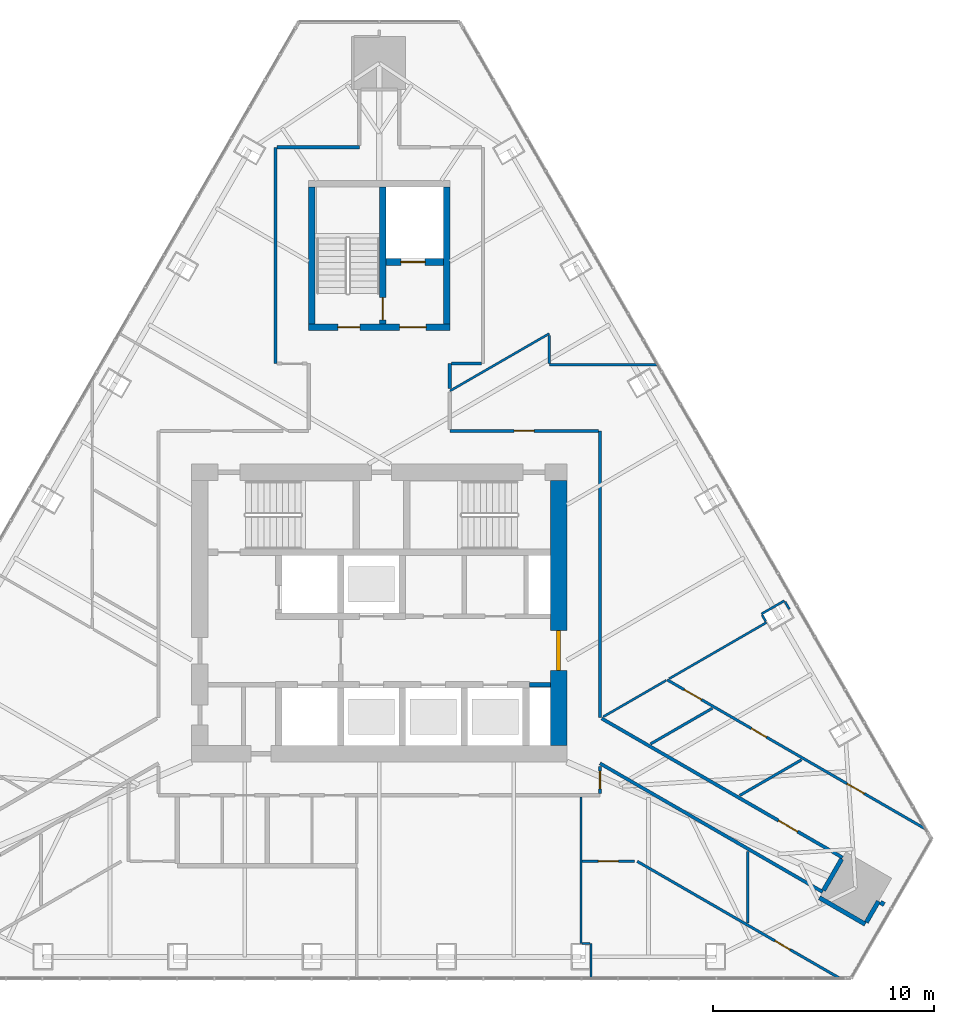
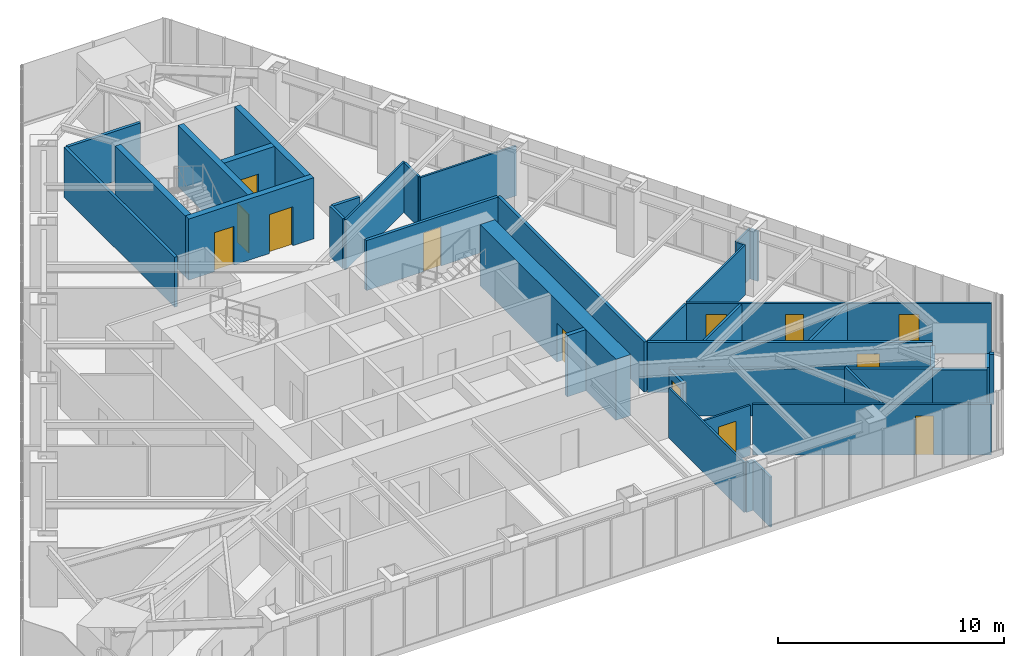
# One storey, part 17 of 20: 37 walls, 13 doors, 13 openings.
"""IFC4 building model written with IfcOpenShell, lengths in metres."""

from ifc_helpers import new_model, si_unit, direction, frame, frame_2d, origin, place, context, subcontext, project, spatial, rectangle, extrude, material, layer, layer_set, type_object, element, fill, save


model = new_model("IFC4")

# Units and contexts
model_context = context("Model", 3, precision=1e-05, world=origin(), true_north=direction((0.0, 1.0)))
body_context = subcontext(model_context, "Body", "Model", "MODEL_VIEW")
ifc_project = project(units=[si_unit("LENGTHUNIT", "METRE"), si_unit("AREAUNIT", "SQUARE_METRE"), si_unit("VOLUMEUNIT", "CUBIC_METRE"), si_unit("PLANEANGLEUNIT", "RADIAN"), si_unit("MASSUNIT", "GRAM", prefix="KILO")], contexts=[model_context])

# Site, building, storey
site_placement = place(None, origin())
site = spatial("IfcSite", under=ifc_project, at=site_placement, CompositionType="ELEMENT")
building_placement = place(site_placement, origin())
building = spatial("IfcBuilding", under=site, at=building_placement, Name="Firuza Gate Tower and Library", CompositionType="ELEMENT")
storey_placement = place(building_placement, frame((0.0, 0.0, 305.60009765625)))
storey = spatial("IfcBuildingStorey", under=building, at=storey_placement, Name="L74", CompositionType="ELEMENT", Elevation=305.60009765625)

# Wall
ifc_material_1 = material(Name="Plasterboard on steel studs", Category="steel")
ifc_layer_1 = layer(ifc_material_1, 0.199951171875)
ifc_layer_set_1 = layer_set([ifc_layer_1], Name="Core partition 200 EI 120")
wall_type_1 = type_object("IfcWallType", Name="Core partition 200 EI 120", PredefinedType="PARTITIONING", material=ifc_layer_set_1)
wall_1_placement = place(storey_placement, frame((81.800048828125, 71.75, 0.0), z_axis=(0.0, 0.0, 1.0), x_axis=(1.0, 0.0, 0.0)))
element("IfcWall", 1, at=wall_1_placement, inside=storey, type_object=wall_type_1, Name="Core partition L74 2", PredefinedType="PARTITIONING", context=body_context, shape_type="SweptSolid", body=[
    extrude(rectangle(XDim=0.949951171875, YDim=0.199951171875, at=frame_2d((0.47509765625, 0.0))), origin(), (0.0, 0.0, 1.0), 3.2998046875),
])

# Wall, openings, doors
ifc_material_2 = material(Name="Concrete C60/75", Category="concrete")
ifc_layer_2 = layer(ifc_material_2, 0.300048828125)
ifc_layer_set_2 = layer_set([ifc_layer_2], Name="Core wall 300 C60/75")
wall_type_2 = type_object("IfcWallType", Name="Core wall 300 C60/75", PredefinedType="SHEAR", material=ifc_layer_set_2)
wall_2_placement = place(storey_placement, frame((71.800048828125, 87.949951171875, 0.0), z_axis=(0.0, 0.0, 1.0), x_axis=(1.0, 0.0, 0.0)))
wall_2 = element("IfcWall", 2, at=wall_2_placement, inside=storey, type_object=wall_type_2, Name="Core wall L74 18", PredefinedType="SHEAR", context=body_context, shape_type="SweptSolid", body=[
    extrude(rectangle(XDim=6.39990234375, YDim=0.300048828125, at=frame_2d((3.199951171875, 0.0))), origin(), (0.0, 0.0, 1.0), 3.2998046875),
])
opening_1_placement = place(wall_2_placement, frame((1.324951171875, 0.0, 0.0)))
opening_1 = element("IfcOpeningElement", 3, at=opening_1_placement, cuts=wall_2, Name="Opening L74-K11", PredefinedType="OPENING", context=body_context, shape_type="SweptSolid", body=[
    extrude(rectangle(XDim=1.0, YDim=2.10009765625, at=frame_2d((0.5, 1.050048828125))), frame((0.0, 0.16015625, 0.0), z_axis=(0.0, -1.0, 0.0), x_axis=(1.0, 0.0, 0.0)), (0.0, 0.0, 1.0), 0.320068359375),
])
opening_2_placement = place(wall_2_placement, frame((4.125, 0.0, 0.0)))
opening_2 = element("IfcOpeningElement", 4, at=opening_2_placement, cuts=wall_2, Name="Opening L74-K13", PredefinedType="OPENING", context=body_context, shape_type="SweptSolid", body=[
    extrude(rectangle(XDim=1.199951171875, YDim=2.10009765625, at=frame_2d((0.60009765625, 1.050048828125))), frame((0.0, 0.16015625, 0.0), z_axis=(0.0, -1.0, 0.0), x_axis=(1.0, 0.0, 0.0)), (0.0, 0.0, 1.0), 0.320068359375),
])
ifc_material_3 = material(Name="Steel", Category="steel")
door_type_1 = type_object("IfcDoorType", Name="Fire door 1000x2100 FD90", OperationType="NOTDEFINED", PredefinedType="DOOR", material=ifc_material_3)
door_1_placement = place(opening_1_placement, origin())
door_1 = element("IfcDoor", 5, at=door_1_placement, inside=storey, type_object=door_type_1, Name="Door L74-K11", OperationType="SINGLE_SWING_RIGHT", OverallHeight=2.10009765625, OverallWidth=1.0, PredefinedType="DOOR", context=body_context, shape_type="SweptSolid", body=[
    extrude(rectangle(XDim=1.0, YDim=2.10009765625, at=frame_2d((0.5, 1.050048828125))), frame((0.0, 0.02490234375, 0.0), z_axis=(0.0, -1.0, 0.0), x_axis=(1.0, 0.0, 0.0)), (0.0, 0.0, 1.0), 0.050048828125),
])
fill(opening_1, door_1)
ifc_material_4 = material(Name="Steel", Category="steel")
door_type_2 = type_object("IfcDoorType", Name="Fire door 1200x2100 FD30S", OperationType="NOTDEFINED", PredefinedType="DOOR", material=ifc_material_4)
door_2_placement = place(opening_2_placement, origin())
door_2 = element("IfcDoor", 6, at=door_2_placement, inside=storey, type_object=door_type_2, Name="Door L74-K13", OperationType="SINGLE_SWING_RIGHT", OverallHeight=2.10009765625, OverallWidth=1.199951171875, PredefinedType="DOOR", context=body_context, shape_type="SweptSolid", body=[
    extrude(rectangle(XDim=1.199951171875, YDim=2.10009765625, at=frame_2d((0.60009765625, 1.050048828125))), frame((0.0, 0.02490234375, 0.0), z_axis=(0.0, -1.0, 0.0), x_axis=(1.0, 0.0, 0.0)), (0.0, 0.0, 1.0), 0.050048828125),
])
fill(opening_2, door_2)

# Walls
for number, where, z_axis, x_axis, name in (
    (7, (71.949951171875, 88.10009765625, 0.0), (0.0, 0.0, 1.0), (0.0, 1.0, 0.0), "Core wall L74 20"),
    (8, (78.050048828125, 88.10009765625, 0.0), (0.0, 0.0, 1.0), (0.0, 1.0, 0.0), "Core wall L74 21"),
):
    element("IfcWall", number, at=place(storey_placement, frame(where, z_axis=z_axis, x_axis=x_axis)), inside=storey, type_object=wall_type_2, Name=name, PredefinedType="SHEAR", context=body_context, shape_type="SweptSolid", body=[
        extrude(rectangle(XDim=6.199951171875, YDim=0.300048828125, at=frame_2d((3.10009765625, 0.0))), origin(), (0.0, 0.0, 1.0), 3.2998046875),
    ])

# Wall, opening, door
wall_3_placement = place(storey_placement, frame((75.300048828125, 90.89990234375, 0.0), z_axis=(0.0, 0.0, 1.0), x_axis=(1.0, 0.0, 0.0)))
wall_3 = element("IfcWall", 9, at=wall_3_placement, inside=storey, type_object=wall_type_2, Name="Core wall L74 22", PredefinedType="SHEAR", context=body_context, shape_type="SweptSolid", body=[
    extrude(rectangle(XDim=2.599853515625, YDim=0.300048828125, at=frame_2d((1.2998046875, 0.0))), origin(), (0.0, 0.0, 1.0), 3.2998046875),
])
opening_3_placement = place(wall_3_placement, frame((0.675048828125, 0.0, 0.0)))
opening_3 = element("IfcOpeningElement", 10, at=opening_3_placement, cuts=wall_3, Name="Opening LD-SV1-L74", PredefinedType="OPENING", context=body_context, shape_type="SweptSolid", body=[
    extrude(rectangle(XDim=1.10009765625, YDim=2.10009765625, at=frame_2d((0.550048828125, 1.050048828125))), frame((0.0, 0.16015625, 0.0), z_axis=(0.0, -1.0, 0.0), x_axis=(1.0, 0.0, 0.0)), (0.0, 0.0, 1.0), 0.320068359375),
])
ifc_material_5 = material(Name="Stainless steel", Category="steel")
door_type_3 = type_object("IfcDoorType", Name="Lift landing door 1100x2100", OperationType="DOUBLE_DOOR_SLIDING", PredefinedType="DOOR", material=ifc_material_5)
door_3_placement = place(opening_3_placement, origin())
door_3 = element("IfcDoor", 11, at=door_3_placement, inside=storey, type_object=door_type_3, Name="Landing door SV1 L74", OperationType="DOUBLE_DOOR_SLIDING", OverallHeight=2.10009765625, OverallWidth=1.10009765625, PredefinedType="DOOR", context=body_context, shape_type="SweptSolid", body=[
    extrude(rectangle(XDim=1.10009765625, YDim=2.10009765625, at=frame_2d((0.550048828125, 1.050048828125))), frame((0.0, 0.02490234375, 0.0), z_axis=(0.0, -1.0, 0.0), x_axis=(1.0, 0.0, 0.0)), (0.0, 0.0, 1.0), 0.050048828125),
])
fill(opening_3, door_3)

wall_4_placement = place(storey_placement, frame((75.14990234375, 88.10009765625, 0.0), z_axis=(0.0, 0.0, 1.0), x_axis=(0.0, 1.0, 0.0)))
wall_4 = element("IfcWall", 12, at=wall_4_placement, inside=storey, type_object=wall_type_2, Name="Core wall L74 23", PredefinedType="SHEAR", context=body_context, shape_type="SweptSolid", body=[
    extrude(rectangle(XDim=6.199951171875, YDim=0.300048828125, at=frame_2d((3.10009765625, 0.0))), origin(), (0.0, 0.0, 1.0), 3.2998046875),
])
opening_4_placement = place(wall_4_placement, frame((0.18505859375, 0.0, 0.0)))
opening_4 = element("IfcOpeningElement", 13, at=opening_4_placement, cuts=wall_4, Name="Opening L74-K12", PredefinedType="OPENING", context=body_context, shape_type="SweptSolid", body=[
    extrude(rectangle(XDim=1.0, YDim=2.10009765625, at=frame_2d((0.5, 1.050048828125))), frame((0.0, 0.16015625, 0.0), z_axis=(0.0, -1.0, 0.0), x_axis=(1.0, 0.0, 0.0)), (0.0, 0.0, 1.0), 0.320068359375),
])
door_4_placement = place(opening_4_placement, origin())
door_4 = element("IfcDoor", 14, at=door_4_placement, inside=storey, type_object=door_type_1, Name="Door L74-K12", OperationType="SINGLE_SWING_LEFT", OverallHeight=2.10009765625, OverallWidth=1.0, PredefinedType="DOOR", context=body_context, shape_type="SweptSolid", body=[
    extrude(rectangle(XDim=1.0, YDim=2.10009765625, at=frame_2d((0.5, 1.050048828125))), frame((0.0, 0.02490234375, 0.0), z_axis=(0.0, -1.0, 0.0), x_axis=(1.0, 0.0, 0.0)), (0.0, 0.0, 1.0), 0.050048828125),
])
fill(opening_4, door_4)

ifc_material_6 = material(Name="Concrete C60/75", Category="concrete")
ifc_layer_3 = layer(ifc_material_6, 0.75)
ifc_layer_set_3 = layer_set([ifc_layer_3], Name="Core wall 750 C60/75")
wall_type_3 = type_object("IfcWallType", Name="Core wall 750 C60/75", PredefinedType="SHEAR", material=ifc_layer_set_3)
wall_5_placement = place(storey_placement, frame((83.125, 69.0, 0.0), z_axis=(0.0, 0.0, 1.0), x_axis=(0.0, 1.0, 0.0)))
wall_5 = element("IfcWall", 15, at=wall_5_placement, inside=storey, type_object=wall_type_3, Name="Core wall L74 4", PredefinedType="SHEAR", context=body_context, shape_type="SweptSolid", body=[
    extrude(rectangle(XDim=12.0, YDim=0.75, at=frame_2d((6.0, 0.0))), origin(), (0.0, 0.0, 1.0), 3.2998046875),
])
opening_5_placement = place(wall_5_placement, frame((3.39990234375, 0.0, 0.0)))
opening_5 = element("IfcOpeningElement", 16, at=opening_5_placement, cuts=wall_5, Name="Opening L74-K16", PredefinedType="OPENING", context=body_context, shape_type="SweptSolid", body=[
    extrude(rectangle(XDim=1.800048828125, YDim=2.10009765625, at=frame_2d((0.89990234375, 1.050048828125))), frame((0.0, 0.385009765625, 0.0), z_axis=(0.0, -1.0, 0.0), x_axis=(1.0, 0.0, 0.0)), (0.0, 0.0, 1.0), 0.77001953125),
])
ifc_material_7 = material(Name="Steel", Category="steel")
door_type_4 = type_object("IfcDoorType", Name="Fire door 1800x2100 FD30S", OperationType="NOTDEFINED", PredefinedType="DOOR", material=ifc_material_7)
door_5_placement = place(opening_5_placement, origin())
door_5 = element("IfcDoor", 17, at=door_5_placement, inside=storey, type_object=door_type_4, Name="Door L74-K16", OperationType="SINGLE_SWING_LEFT", OverallHeight=2.10009765625, OverallWidth=1.800048828125, PredefinedType="DOOR", context=body_context, shape_type="SweptSolid", body=[
    extrude(rectangle(XDim=1.800048828125, YDim=2.10009765625, at=frame_2d((0.89990234375, 1.050048828125))), frame((0.0, 0.094970703125, 0.0), z_axis=(0.0, -1.0, 0.0), x_axis=(1.0, 0.0, 0.0)), (0.0, 0.0, 1.0), 0.18994140625),
])
fill(opening_5, door_5)

ifc_material_8 = material(Name="Gypsum board partition")
ifc_layer_4 = layer(ifc_material_8, 0.14990234375)
ifc_layer_set_4 = layer_set([ifc_layer_4], Name="Corridor wall 150 double board on steel studs")
wall_type_4 = type_object("IfcWallType", Name="Corridor wall 150 double board on steel studs", PredefinedType="PARTITIONING", material=ifc_layer_set_4)
wall_6_placement = place(storey_placement, frame((84.923095703125, 83.25, 0.0), z_axis=(0.0, 0.0, 1.0), x_axis=(-1.0, 0.0, 0.0)))
wall_6 = element("IfcWall", 18, at=wall_6_placement, inside=storey, type_object=wall_type_4, Name="f:L74:w006", PredefinedType="PARTITIONING", context=body_context, shape_type="SweptSolid", body=[
    extrude(rectangle(XDim=6.72314453125, YDim=0.14990234375, at=frame_2d((3.361572265625, 0.0))), origin(), (0.0, 0.0, 1.0), 2.699951171875),
])
opening_6_placement = place(wall_6_placement, frame((2.911376953125, 0.0, 0.0)))
opening_6 = element("IfcOpeningElement", 19, at=opening_6_placement, cuts=wall_6, Name="Opening L74-09", PredefinedType="OPENING", context=body_context, shape_type="SweptSolid", body=[
    extrude(rectangle(XDim=0.89990234375, YDim=2.10009765625, at=frame_2d((0.449951171875, 1.050048828125))), frame((0.0, 0.0849609375, 0.0), z_axis=(0.0, -1.0, 0.0), x_axis=(1.0, 0.0, 0.0)), (0.0, 0.0, 1.0), 0.169921875),
])
ifc_material_9 = material(Name="Steel door and timber leaf", Category="steel")
door_type_5 = type_object("IfcDoorType", Name="Fire door 900 x 2100 steel frame, timber leaf", OperationType="NOTDEFINED", PredefinedType="DOOR", material=ifc_material_9)
door_6_placement = place(opening_6_placement, origin())
door_6 = element("IfcDoor", 20, at=door_6_placement, inside=storey, type_object=door_type_5, Name="f:L74:d009", OperationType="SINGLE_SWING_RIGHT", OverallHeight=2.10009765625, OverallWidth=0.89990234375, PredefinedType="DOOR", context=body_context, shape_type="SweptSolid", body=[
    extrude(rectangle(XDim=0.89990234375, YDim=2.10009765625, at=frame_2d((0.449951171875, 1.050048828125))), frame((0.0, 0.02490234375, 0.0), z_axis=(0.0, -1.0, 0.0), x_axis=(1.0, 0.0, 0.0)), (0.0, 0.0, 1.0), 0.050048828125),
])
fill(opening_6, door_6)

# Walls
wall_7_placement = place(storey_placement, frame((78.27490234375, 86.300048828125, 0.0), z_axis=(0.0, 0.0, 1.0), x_axis=(1.0, 0.0, 0.0)))
element("IfcWall", 21, at=wall_7_placement, inside=storey, type_object=wall_type_4, Name="f:L74:w009", PredefinedType="PARTITIONING", context=body_context, shape_type="SweptSolid", body=[
    extrude(rectangle(XDim=1.349609375, YDim=0.14990234375, at=frame_2d((0.6748046875, 0.0))), origin(), (0.0, 0.0, 1.0), 2.699951171875),
])
wall_8_placement = place(storey_placement, frame((70.376953125, 96.10009765625, 0.0), z_axis=(0.0, 0.0, 1.0), x_axis=(1.0, 0.0, 0.0)))
element("IfcWall", 22, at=wall_8_placement, inside=storey, type_object=wall_type_4, Name="f:L74:w010", PredefinedType="PARTITIONING", context=body_context, shape_type="SweptSolid", body=[
    extrude(rectangle(XDim=3.722900390625, YDim=0.14990234375, at=frame_2d((1.861328125, 0.0))), origin(), (0.0, 0.0, 1.0), 2.699951171875),
])

# Wall, opening, door
wall_9_placement = place(storey_placement, frame((85.0, 68.05078125, 0.0), z_axis=(0.0, 0.0, 1.0), x_axis=(0.0, -1.0, 0.0)))
wall_9 = element("IfcWall", 23, at=wall_9_placement, inside=storey, type_object=wall_type_4, Name="f:L74:w028", PredefinedType="PARTITIONING", context=body_context, shape_type="SweptSolid", body=[
    extrude(rectangle(XDim=1.225830078125, YDim=0.14990234375, at=frame_2d((0.61279296875, 0.0))), origin(), (0.0, 0.0, 1.0), 2.546875),
])
opening_7_placement = place(wall_9_placement, frame((0.212890625, 0.0, 0.0)))
opening_7 = element("IfcOpeningElement", 24, at=opening_7_placement, cuts=wall_9, Name="Opening L74-17", PredefinedType="OPENING", context=body_context, shape_type="SweptSolid", body=[
    extrude(rectangle(XDim=0.800048828125, YDim=2.10009765625, at=frame_2d((0.39990234375, 1.050048828125))), frame((0.0, 0.0849609375, 0.0), z_axis=(0.0, -1.0, 0.0), x_axis=(1.0, 0.0, 0.0)), (0.0, 0.0, 1.0), 0.169921875),
])
ifc_material_10 = material(Name="Timber door", Category="wood")
door_type_6 = type_object("IfcDoorType", Name="Door 800 x 2100 timber leaf", OperationType="NOTDEFINED", PredefinedType="DOOR", material=ifc_material_10)
door_7_placement = place(opening_7_placement, origin())
door_7 = element("IfcDoor", 25, at=door_7_placement, inside=storey, type_object=door_type_6, Name="f:L74:d017", OperationType="SINGLE_SWING_RIGHT", OverallHeight=2.10009765625, OverallWidth=0.800048828125, PredefinedType="DOOR", context=body_context, shape_type="SweptSolid", body=[
    extrude(rectangle(XDim=0.800048828125, YDim=2.10009765625, at=frame_2d((0.39990234375, 1.050048828125))), frame((0.0, 0.02490234375, 0.0), z_axis=(0.0, -1.0, 0.0), x_axis=(1.0, 0.0, 0.0)), (0.0, 0.0, 1.0), 0.050048828125),
])
fill(opening_7, door_7)

# Walls
wall_10_placement = place(storey_placement, frame((85.0, 70.265869140625, 0.0), z_axis=(0.0, 0.0, 1.0), x_axis=(0.0, 1.0, 0.0)))
element("IfcWall", 26, at=wall_10_placement, inside=storey, type_object=wall_type_4, Name="f:L74:w029", PredefinedType="PARTITIONING", context=body_context, shape_type="SweptSolid", body=[
    extrude(rectangle(XDim=12.982177734375, YDim=0.14990234375, at=frame_2d((6.4912109375, 0.0))), origin(), (0.0, 0.0, 1.0), 2.699951171875),
])
wall_11_placement = place(storey_placement, frame((70.300048828125, 86.302001953125, 0.0), z_axis=(0.0, 0.0, 1.0), x_axis=(0.0, 1.0, 0.0)))
element("IfcWall", 27, at=wall_11_placement, inside=storey, type_object=wall_type_4, Name="f:L74:w042", PredefinedType="PARTITIONING", context=body_context, shape_type="SweptSolid", body=[
    extrude(rectangle(XDim=9.7958984375, YDim=0.14990234375, at=frame_2d((4.89794921875, 0.0))), origin(), (0.0, 0.0, 1.0), 2.699951171875),
])

# Wall, opening, door
wall_12_placement = place(storey_placement, frame((85.0751953125, 70.222412109375, 0.0), z_axis=(0.0, 0.0, 1.0), x_axis=(0.866023935413, -0.500002543286, 0.0)))
wall_12 = element("IfcWall", 28, at=wall_12_placement, inside=storey, type_object=wall_type_4, Name="f:L74:w057", PredefinedType="PARTITIONING", context=body_context, shape_type="SweptSolid", body=[
    extrude(rectangle(XDim=12.6005859375, YDim=0.14990234375, at=frame_2d((6.30029296875, 0.0))), origin(), (0.0, 0.0, 1.0), 2.699951171875),
])
opening_8_placement = place(wall_12_placement, frame((9.24853515625, 0.0, 0.0)))
opening_8 = element("IfcOpeningElement", 29, at=opening_8_placement, cuts=wall_12, Name="Opening L74-24", PredefinedType="OPENING", context=body_context, shape_type="SweptSolid", body=[
    extrude(rectangle(XDim=1.0, YDim=2.10009765625, at=frame_2d((0.5, 1.050048828125))), frame((0.0, 0.0849609375, 0.0), z_axis=(0.0, -1.0, 0.0), x_axis=(1.0, 0.0, 0.0)), (0.0, 0.0, 1.0), 0.169921875),
])
ifc_material_11 = material(Name="Steel door and timber leaf", Category="steel")
door_type_7 = type_object("IfcDoorType", Name="Fire door 1000 x 2100 steel frame, timber leaf", OperationType="NOTDEFINED", PredefinedType="DOOR", material=ifc_material_11)
door_8_placement = place(opening_8_placement, origin())
door_8 = element("IfcDoor", 30, at=door_8_placement, inside=storey, type_object=door_type_7, Name="f:L74:d024", OperationType="SINGLE_SWING_RIGHT", OverallHeight=2.10009765625, OverallWidth=1.0, PredefinedType="DOOR", context=body_context, shape_type="SweptSolid", body=[
    extrude(rectangle(XDim=1.0, YDim=2.10009765625, at=frame_2d((0.5, 1.050048828125))), frame((0.0, 0.02490234375, 0.0), z_axis=(0.0, -1.0, 0.0), x_axis=(1.0, 0.0, 0.0)), (0.0, 0.0, 1.0), 0.050048828125),
])
fill(opening_8, door_8)

# Walls
wall_13_placement = place(storey_placement, frame((95.087890625, 62.363037109375, 0.0), z_axis=(0.0, 0.0, 1.0), x_axis=(-0.866026430432, 0.49999822179, 0.0)))
element("IfcWall", 31, at=wall_13_placement, inside=storey, type_object=wall_type_4, Name="f:L74:w059", PredefinedType="PARTITIONING", context=body_context, shape_type="SweptSolid", body=[
    extrude(rectangle(XDim=11.6484375, YDim=0.14990234375, at=frame_2d((5.82421875, 0.0))), origin(), (0.0, 0.0, 1.0), 2.546875),
])
wall_14_placement = place(storey_placement, frame((78.199951171875, 85.160888671875, 0.0), z_axis=(0.0, 0.0, 1.0), x_axis=(0.0, 1.0, 0.0)))
element("IfcWall", 32, at=wall_14_placement, inside=storey, type_object=wall_type_4, Name="f:L74:w070", PredefinedType="PARTITIONING", context=body_context, shape_type="SweptSolid", body=[
    extrude(rectangle(XDim=1.13916015625, YDim=0.14990234375, at=frame_2d((0.569580078125, 0.0))), origin(), (0.0, 0.0, 1.0), 2.699951171875),
])
ifc_material_12 = material(Name="Gypsum board partition")
ifc_layer_5 = layer(ifc_material_12, 0.199951171875)
ifc_layer_set_5 = layer_set([ifc_layer_5], Name="Demising wall 200 acoustic double stud")
wall_type_5 = type_object("IfcWallType", Name="Demising wall 200 acoustic double stud", PredefinedType="PARTITIONING", material=ifc_layer_set_5)
wall_15_placement = place(storey_placement, frame((97.066650390625, 60.990234375, 0.0), z_axis=(0.0, 0.0, 1.0), x_axis=(0.499818604933, 0.866130106949, 0.0)))
element("IfcWall", 33, at=wall_15_placement, inside=storey, type_object=wall_type_5, Name="f:L74:w024", PredefinedType="PARTITIONING", context=body_context, shape_type="SweptSolid", body=[
    extrude(rectangle(XDim=1.09912109375, YDim=0.199951171875, at=frame_2d((0.549560546875, 0.0))), origin(), (0.0, 0.0, 1.0), 2.699951171875),
])
wall_16_placement = place(storey_placement, frame((95.128173828125, 62.432861328125, 0.0), z_axis=(0.0, 0.0, 1.0), x_axis=(0.500052415518, 0.865995139556, 0.0)))
element("IfcWall", 34, at=wall_16_placement, inside=storey, type_object=wall_type_5, Name="f:L74:w025", PredefinedType="PARTITIONING", context=body_context, shape_type="SweptSolid", body=[
    extrude(rectangle(XDim=1.643798828125, YDim=0.199951171875, at=frame_2d((0.82177734375, 0.0))), origin(), (0.0, 0.0, 1.0), 2.546875),
])
wall_17_placement = place(storey_placement, frame((97.876220703125, 61.79248046875, 0.0), z_axis=(0.0, 0.0, 1.0), x_axis=(-0.865900389786, 0.500216468111, 0.0)))
element("IfcWall", 35, at=wall_17_placement, inside=storey, type_object=wall_type_5, Name="f:L74:w058", PredefinedType="PARTITIONING", context=body_context, shape_type="SweptSolid", body=[
    extrude(rectangle(XDim=0.19970703125, YDim=0.199951171875, at=frame_2d((0.099853515625, 0.0))), origin(), (0.0, 0.0, 1.0), 2.699951171875),
])
wall_18_placement = place(storey_placement, frame((97.01611328125, 60.903564453125, 0.0), z_axis=(0.0, 0.0, 1.0), x_axis=(-0.866036455013, 0.499980858223, 0.0)))
element("IfcWall", 36, at=wall_18_placement, inside=storey, type_object=wall_type_5, Name="f:L74:w060", PredefinedType="PARTITIONING", context=body_context, shape_type="SweptSolid", body=[
    extrude(rectangle(XDim=2.39892578125, YDim=0.199951171875, at=frame_2d((1.199462890625, 0.0))), origin(), (0.0, 0.0, 1.0), 2.699951171875),
])
ifc_material_13 = material(Name="Gypsum board partition")
ifc_layer_6 = layer(ifc_material_13, 0.10009765625)
ifc_layer_set_6 = layer_set([ifc_layer_6], Name="Partition 100 gypsum board on steel studs")
wall_type_6 = type_object("IfcWallType", Name="Partition 100 gypsum board on steel studs", PredefinedType="PARTITIONING", material=ifc_layer_set_6)
wall_19_placement = place(storey_placement, frame((84.194091796875, 60.02490234375, 0.0), z_axis=(0.0, 0.0, 1.0), x_axis=(1.0, 0.0, 0.0)))
element("IfcWall", 37, at=wall_19_placement, inside=storey, type_object=wall_type_6, Name="f:L74:w000", PredefinedType="PARTITIONING", context=body_context, shape_type="SweptSolid", body=[
    extrude(rectangle(XDim=0.346923828125, YDim=0.10009765625, at=frame_2d((0.17333984375, 0.0))), origin(), (0.0, 0.0, 1.0), 2.699951171875),
])

# Wall, opening, door
wall_20_placement = place(storey_placement, frame((86.565673828125, 63.75, 0.0), z_axis=(0.0, 0.0, 1.0), x_axis=(-1.0, 0.0, 0.0)))
wall_20 = element("IfcWall", 38, at=wall_20_placement, inside=storey, type_object=wall_type_6, Name="f:L74:w003", PredefinedType="PARTITIONING", context=body_context, shape_type="SweptSolid", body=[
    extrude(rectangle(XDim=2.37158203125, YDim=0.10009765625, at=frame_2d((1.185791015625, 0.0))), origin(), (0.0, 0.0, 1.0), 2.699951171875),
])
opening_9_placement = place(wall_20_placement, frame((0.73583984375, 0.0, 0.0)))
opening_9 = element("IfcOpeningElement", 39, at=opening_9_placement, cuts=wall_20, Name="Opening L74-02", PredefinedType="OPENING", context=body_context, shape_type="SweptSolid", body=[
    extrude(rectangle(XDim=0.89990234375, YDim=2.10009765625, at=frame_2d((0.449951171875, 1.050048828125))), frame((0.0, 0.06005859375, 0.0), z_axis=(0.0, -1.0, 0.0), x_axis=(1.0, 0.0, 0.0)), (0.0, 0.0, 1.0), 0.1201171875),
])
ifc_material_14 = material(Name="Timber door", Category="wood")
door_type_8 = type_object("IfcDoorType", Name="Door 900 x 2100 timber leaf", OperationType="NOTDEFINED", PredefinedType="DOOR", material=ifc_material_14)
door_9_placement = place(opening_9_placement, origin())
door_9 = element("IfcDoor", 40, at=door_9_placement, inside=storey, type_object=door_type_8, Name="f:L74:d002", OperationType="SINGLE_SWING_LEFT", OverallHeight=2.10009765625, OverallWidth=0.89990234375, PredefinedType="DOOR", context=body_context, shape_type="SweptSolid", body=[
    extrude(rectangle(XDim=0.89990234375, YDim=2.10009765625, at=frame_2d((0.449951171875, 1.050048828125))), frame((0.0, 0.02490234375, 0.0), z_axis=(0.0, -1.0, 0.0), x_axis=(1.0, 0.0, 0.0)), (0.0, 0.0, 1.0), 0.050048828125),
])
fill(opening_9, door_9)

# Walls
wall_21_placement = place(storey_placement, frame((82.701904296875, 86.25, 0.0), z_axis=(0.0, 0.0, 1.0), x_axis=(1.0, 0.0, 0.0)))
element("IfcWall", 41, at=wall_21_placement, inside=storey, type_object=wall_type_6, Name="f:L74:w007", PredefinedType="PARTITIONING", context=body_context, shape_type="SweptSolid", body=[
    extrude(rectangle(XDim=4.896240234375, YDim=0.10009765625, at=frame_2d((2.4482421875, 0.0))), origin(), (0.0, 0.0, 1.0), 2.68798828125),
])
wall_22_placement = place(storey_placement, frame((85.14501953125, 70.298828125, 0.0), z_axis=(0.0, 0.0, 1.0), x_axis=(0.866032610133, 0.499987518031, 0.0)))
element("IfcWall", 42, at=wall_22_placement, inside=storey, type_object=wall_type_6, Name="f:L74:w016", PredefinedType="PARTITIONING", context=body_context, shape_type="SweptSolid", body=[
    extrude(rectangle(XDim=3.29541015625, YDim=0.10009765625, at=frame_2d((1.647705078125, 0.0))), origin(), (0.0, 0.0, 1.0), 2.699951171875),
])
wall_23_placement = place(storey_placement, frame((92.317626953125, 74.95947265625, 0.0), z_axis=(0.0, 0.0, 1.0), x_axis=(0.866087020037, 0.499893262331, 0.0)))
element("IfcWall", 43, at=wall_23_placement, inside=storey, type_object=wall_type_6, Name="f:L74:w017", PredefinedType="PARTITIONING", context=body_context, shape_type="SweptSolid", body=[
    extrude(rectangle(XDim=1.196044921875, YDim=0.10009765625, at=frame_2d((0.59814453125, 0.0))), origin(), (0.0, 0.0, 1.0), 2.68798828125),
])
wall_24_placement = place(storey_placement, frame((78.199951171875, 85.059814453125, 0.0), z_axis=(0.0, 0.0, 1.0), x_axis=(0.866025161861, 0.500000419024, 0.0)))
element("IfcWall", 44, at=wall_24_placement, inside=storey, type_object=wall_type_6, Name="f:L74:w023", PredefinedType="PARTITIONING", context=body_context, shape_type="SweptSolid", body=[
    extrude(rectangle(XDim=5.1953125, YDim=0.10009765625, at=frame_2d((2.59765625, 0.0))), origin(), (0.0, 0.0, 1.0), 2.699951171875),
])
wall_25_placement = place(storey_placement, frame((84.593994140625, 58.46484375, 0.0), z_axis=(0.0, 0.0, 1.0), x_axis=(0.0, 1.0, 0.0)))
element("IfcWall", 45, at=wall_25_placement, inside=storey, type_object=wall_type_6, Name="f:L74:w030", PredefinedType="PARTITIONING", context=body_context, shape_type="SweptSolid", body=[
    extrude(rectangle(XDim=1.556884765625, YDim=0.10009765625, at=frame_2d((0.7783203125, 0.0))), origin(), (0.0, 0.0, 1.0), 2.699951171875),
])
wall_26_placement = place(storey_placement, frame((84.14404296875, 60.02490234375, 0.0), z_axis=(0.0, 0.0, 1.0), x_axis=(0.0, 1.0, 0.0)))
element("IfcWall", 46, at=wall_26_placement, inside=storey, type_object=wall_type_6, Name="f:L74:w031", PredefinedType="PARTITIONING", context=body_context, shape_type="SweptSolid", body=[
    extrude(rectangle(XDim=6.650146484375, YDim=0.10009765625, at=frame_2d((3.3251953125, 0.0))), origin(), (0.0, 0.0, 1.0), 2.699951171875),
])
wall_27_placement = place(storey_placement, frame((82.699951171875, 86.302001953125, 0.0), z_axis=(0.0, 0.0, 1.0), x_axis=(0.0, 1.0, 0.0)))
element("IfcWall", 47, at=wall_27_placement, inside=storey, type_object=wall_type_6, Name="f:L74:w032", PredefinedType="PARTITIONING", context=body_context, shape_type="SweptSolid", body=[
    extrude(rectangle(XDim=1.26708984375, YDim=0.10009765625, at=frame_2d((0.633544921875, 0.0))), origin(), (0.0, 0.0, 1.0), 2.699951171875),
])
wall_28_placement = place(storey_placement, frame((93.580078125, 75.168701171875, 0.0), z_axis=(0.0, 0.0, 1.0), x_axis=(-0.500153222552, 0.865936922628, 0.0)))
element("IfcWall", 48, at=wall_28_placement, inside=storey, type_object=wall_type_6, Name="f:L74:w051", PredefinedType="PARTITIONING", context=body_context, shape_type="SweptSolid", body=[
    extrude(rectangle(XDim=0.392578125, YDim=0.10009765625, at=frame_2d((0.1962890625, 0.0))), origin(), (0.0, 0.0, 1.0), 2.699951171875),
])
wall_29_placement = place(storey_placement, frame((92.5107421875, 74.62060546875, 0.0), z_axis=(0.0, 0.0, 1.0), x_axis=(-0.499868360126, 0.866101392762, 0.0)))
element("IfcWall", 49, at=wall_29_placement, inside=storey, type_object=wall_type_6, Name="f:L74:w052", PredefinedType="PARTITIONING", context=body_context, shape_type="SweptSolid", body=[
    extrude(rectangle(XDim=0.337890625, YDim=0.10009765625, at=frame_2d((0.1689453125, 0.0))), origin(), (0.0, 0.0, 1.0), 2.699951171875),
])
wall_30_placement = place(storey_placement, frame((88.12890625, 72.021484375, 0.0), z_axis=(0.0, 0.0, 1.0), x_axis=(0.866010809447, 0.500025277282, 0.0)))
element("IfcWall", 50, at=wall_30_placement, inside=storey, type_object=wall_type_6, Name="f:L74:w069", PredefinedType="PARTITIONING", context=body_context, shape_type="SweptSolid", body=[
    extrude(rectangle(XDim=5.094482421875, YDim=0.10009765625, at=frame_2d((2.54736328125, 0.0))), origin(), (0.0, 0.0, 1.0), 2.699951171875),
])
ifc_material_15 = material(Name="Gypsum board partition")
ifc_layer_7 = layer(ifc_material_15, 0.1201171875)
ifc_layer_set_7 = layer_set([ifc_layer_7], Name="Wet-area partition 120 moisture-resistant board")
wall_type_7 = type_object("IfcWallType", Name="Wet-area partition 120 moisture-resistant board", PredefinedType="PARTITIONING", material=ifc_layer_set_7)
for number, where, z_axis, x_axis, name in (
    (51, (91.333251953125, 66.735595703125, 0.0), (0.0, 0.0, 1.0), (0.86605210011, 0.499953757757, 0.0), "f:L74:w014"),
    (52, (87.29150390625, 69.0693359375, 0.0), (0.0, 0.0, 1.0), (0.86605210011, 0.499953757757, 0.0), "f:L74:w015"),
    (53, (91.697021484375, 60.966064453125, 0.0), (0.0, 0.0, 1.0), (0.0, 1.0, 0.0), "f:L74:w027"),
):
    element("IfcWall", number, at=place(storey_placement, frame(where, z_axis=z_axis, x_axis=x_axis)), inside=storey, type_object=wall_type_7, Name=name, PredefinedType="PARTITIONING", context=body_context, shape_type="SweptSolid", body=[
        extrude(rectangle(XDim=3.228271484375, YDim=0.1201171875, at=frame_2d((1.6142578125, 0.0))), origin(), (0.0, 0.0, 1.0), 2.699951171875),
    ])

# Wall, openings, doors
wall_31_placement = place(storey_placement, frame((99.73974609375, 65.219970703125, 0.0), z_axis=(0.0, 0.0, 1.0), x_axis=(-0.866029646425, 0.499992651459, 0.0)))
wall_31 = element("IfcWall", 54, at=wall_31_placement, inside=storey, type_object=wall_type_7, Name="f:L74:w056", PredefinedType="PARTITIONING", context=body_context, shape_type="SweptSolid", body=[
    extrude(rectangle(XDim=13.505126953125, YDim=0.1201171875, at=frame_2d((6.75244140625, 0.0))), origin(), (0.0, 0.0, 1.0), 2.699951171875),
])
opening_10_placement = place(wall_31_placement, frame((3.196533203125, 0.0, 0.0)))
opening_10 = element("IfcOpeningElement", 55, at=opening_10_placement, cuts=wall_31, Name="Opening L74-21", PredefinedType="OPENING", context=body_context, shape_type="SweptSolid", body=[
    extrude(rectangle(XDim=0.89990234375, YDim=2.10009765625, at=frame_2d((0.449951171875, 1.050048828125))), frame((0.0, 0.070068359375, 0.0), z_axis=(0.0, -1.0, 0.0), x_axis=(1.0, 0.0, 0.0)), (0.0, 0.0, 1.0), 0.14013671875),
])
opening_11_placement = place(wall_31_placement, frame((8.302978515625, 0.0, 0.0)))
opening_11 = element("IfcOpeningElement", 56, at=opening_11_placement, cuts=wall_31, Name="Opening L74-22", PredefinedType="OPENING", context=body_context, shape_type="SweptSolid", body=[
    extrude(rectangle(XDim=0.800048828125, YDim=2.10009765625, at=frame_2d((0.39990234375, 1.050048828125))), frame((0.0, 0.070068359375, 0.0), z_axis=(0.0, -1.0, 0.0), x_axis=(1.0, 0.0, 0.0)), (0.0, 0.0, 1.0), 0.14013671875),
])
opening_12_placement = place(wall_31_placement, frame((11.720703125, 0.0, 0.0)))
opening_12 = element("IfcOpeningElement", 57, at=opening_12_placement, cuts=wall_31, Name="Opening L74-23", PredefinedType="OPENING", context=body_context, shape_type="SweptSolid", body=[
    extrude(rectangle(XDim=0.89990234375, YDim=2.10009765625, at=frame_2d((0.449951171875, 1.050048828125))), frame((0.0, 0.070068359375, 0.0), z_axis=(0.0, -1.0, 0.0), x_axis=(1.0, 0.0, 0.0)), (0.0, 0.0, 1.0), 0.14013671875),
])
door_10_placement = place(opening_11_placement, origin())
door_10 = element("IfcDoor", 58, at=door_10_placement, inside=storey, type_object=door_type_6, Name="f:L74:d022", OperationType="SINGLE_SWING_RIGHT", OverallHeight=2.10009765625, OverallWidth=0.800048828125, PredefinedType="DOOR", context=body_context, shape_type="SweptSolid", body=[
    extrude(rectangle(XDim=0.800048828125, YDim=2.10009765625, at=frame_2d((0.39990234375, 1.050048828125))), frame((0.0, 0.02490234375, 0.0), z_axis=(0.0, -1.0, 0.0), x_axis=(1.0, 0.0, 0.0)), (0.0, 0.0, 1.0), 0.050048828125),
])
fill(opening_11, door_10)
door_11_placement = place(opening_10_placement, origin())
door_11 = element("IfcDoor", 59, at=door_11_placement, inside=storey, type_object=door_type_8, Name="f:L74:d021", OperationType="SINGLE_SWING_RIGHT", OverallHeight=2.10009765625, OverallWidth=0.89990234375, PredefinedType="DOOR", context=body_context, shape_type="SweptSolid", body=[
    extrude(rectangle(XDim=0.89990234375, YDim=2.10009765625, at=frame_2d((0.449951171875, 1.050048828125))), frame((0.0, 0.02490234375, 0.0), z_axis=(0.0, -1.0, 0.0), x_axis=(1.0, 0.0, 0.0)), (0.0, 0.0, 1.0), 0.050048828125),
])
fill(opening_10, door_11)
door_12_placement = place(opening_12_placement, origin())
door_12 = element("IfcDoor", 60, at=door_12_placement, inside=storey, type_object=door_type_8, Name="f:L74:d023", OperationType="SINGLE_SWING_LEFT", OverallHeight=2.10009765625, OverallWidth=0.89990234375, PredefinedType="DOOR", context=body_context, shape_type="SweptSolid", body=[
    extrude(rectangle(XDim=0.89990234375, YDim=2.10009765625, at=frame_2d((0.449951171875, 1.050048828125))), frame((0.0, 0.02490234375, 0.0), z_axis=(0.0, -1.0, 0.0), x_axis=(1.0, 0.0, 0.0)), (0.0, 0.0, 1.0), 0.050048828125),
])
fill(opening_12, door_12)

# Wall, opening, door
wall_32_placement = place(storey_placement, frame((86.685546875, 63.75, 0.0), z_axis=(0.0, 0.0, 1.0), x_axis=(0.866034434898, -0.499984357326, 0.0)))
wall_32 = element("IfcWall", 61, at=wall_32_placement, inside=storey, type_object=wall_type_7, Name="f:L74:w062", PredefinedType="PARTITIONING", context=body_context, shape_type="SweptSolid", body=[
    extrude(rectangle(XDim=10.570556640625, YDim=0.1201171875, at=frame_2d((5.28515625, 0.0))), origin(), (0.0, 0.0, 1.0), 2.699951171875),
])
opening_13_placement = place(wall_32_placement, frame((7.199951171875, 0.0, 0.0)))
opening_13 = element("IfcOpeningElement", 62, at=opening_13_placement, cuts=wall_32, Name="Opening L74-25", PredefinedType="OPENING", context=body_context, shape_type="SweptSolid", body=[
    extrude(rectangle(XDim=0.800048828125, YDim=2.10009765625, at=frame_2d((0.39990234375, 1.050048828125))), frame((0.0, 0.070068359375, 0.0), z_axis=(0.0, -1.0, 0.0), x_axis=(1.0, 0.0, 0.0)), (0.0, 0.0, 1.0), 0.14013671875),
])
door_13_placement = place(opening_13_placement, origin())
door_13 = element("IfcDoor", 63, at=door_13_placement, inside=storey, type_object=door_type_6, Name="f:L74:d025", OperationType="SINGLE_SWING_LEFT", OverallHeight=2.10009765625, OverallWidth=0.800048828125, PredefinedType="DOOR", context=body_context, shape_type="SweptSolid", body=[
    extrude(rectangle(XDim=0.800048828125, YDim=2.10009765625, at=frame_2d((0.39990234375, 1.050048828125))), frame((0.0, 0.02490234375, 0.0), z_axis=(0.0, -1.0, 0.0), x_axis=(1.0, 0.0, 0.0)), (0.0, 0.0, 1.0), 0.050048828125),
])
fill(opening_13, door_13)

save(model, "model.ifc")
